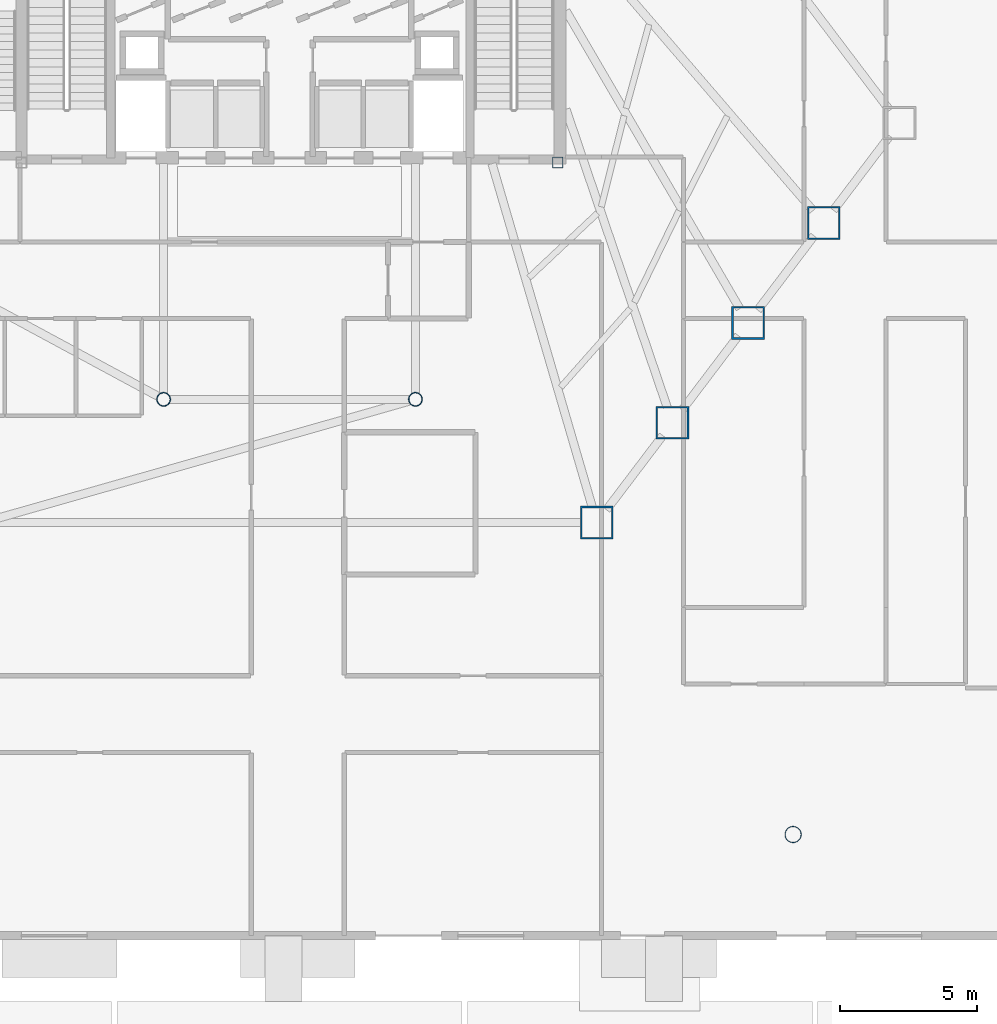
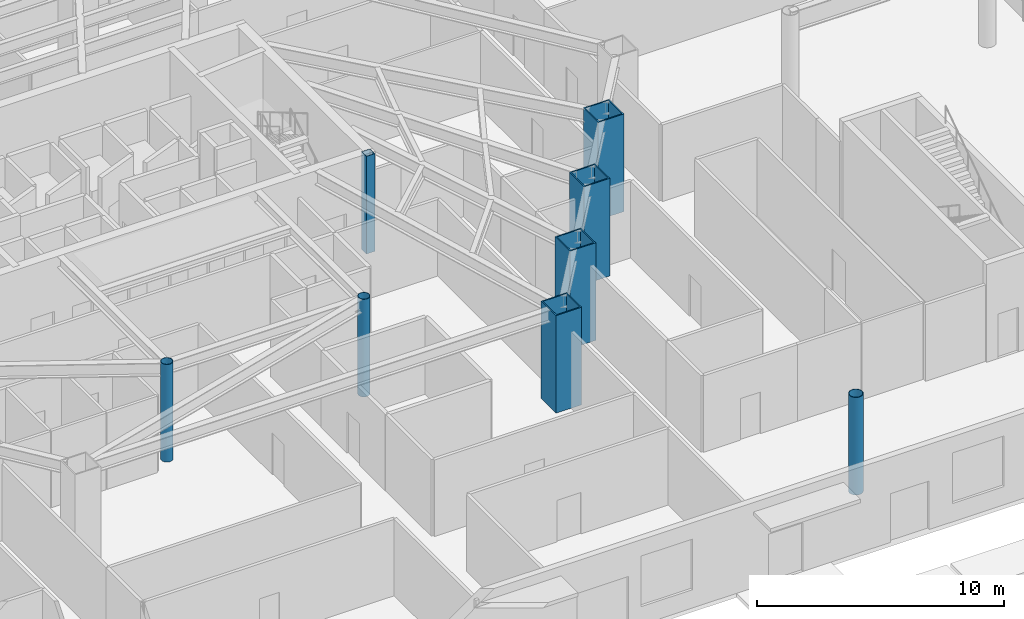
# One storey, part 2 of 31: 8 columns.
"""IFC4 building model written with IfcOpenShell, lengths in metres."""

from ifc_helpers import new_model, si_unit, direction, frame, origin, origin_2d, place, context, subcontext, project, spatial, hollow_rectangle, hollow_circle, extrude, material, material_profile, profile_set, type_object, element, save


model = new_model("IFC4")

# Units and contexts
model_context = context("Model", 3, precision=1e-05, world=origin(), true_north=direction((0.0, 1.0)))
body_context = subcontext(model_context, "Body", "Model", "MODEL_VIEW")
ifc_project = project(units=[si_unit("LENGTHUNIT", "METRE"), si_unit("AREAUNIT", "SQUARE_METRE"), si_unit("VOLUMEUNIT", "CUBIC_METRE"), si_unit("PLANEANGLEUNIT", "RADIAN"), si_unit("MASSUNIT", "GRAM", prefix="KILO")], contexts=[model_context])

# Site, building, storey
site_placement = place(None, origin())
site = spatial("IfcSite", under=ifc_project, at=site_placement, CompositionType="ELEMENT")
building_placement = place(site_placement, origin())
building = spatial("IfcBuilding", under=site, at=building_placement, Name="Zarrinselat Tower", CompositionType="ELEMENT")
storey_placement = place(building_placement, origin())
storey = spatial("IfcBuildingStorey", under=building, at=storey_placement, Name="L00", CompositionType="ELEMENT", Elevation=0.0)

# Columns
ifc_material_1 = material(Name="Steel S355J2", Category="steel")
ifc_material_profile_1 = material_profile(ifc_material_1, hollow_circle(Radius=0.25390625, WallThickness=0.02001953125, at=origin_2d()), Name="CHS 508x20")
ifc_profile_set_1 = profile_set([ifc_material_profile_1], Name="Steel S355J2")
column_type_1 = type_object("IfcColumnType", Name="COL-CHS508", PredefinedType="COLUMN", material=ifc_profile_set_1)
for number, where, z_axis, x_axis, name in (
    (1, (33.800048828125, 24.39990234375, 0.0), (0.0, 0.0, 1.0), (1.0, 0.0, 0.0), "L00 Atrium Corner Column 1"),
    (2, (43.0, 24.39990234375, 0.0), (0.0, 0.0, 1.0), (1.0, 0.0, 0.0), "L00 Atrium Corner Column 2"),
):
    element("IfcColumn", number, at=place(storey_placement, frame(where, z_axis=z_axis, x_axis=x_axis)), inside=storey, type_object=column_type_1, Name=name, PredefinedType="COLUMN", context=body_context, shape_type="SweptSolid", body=[
        extrude(hollow_circle(Radius=0.25390625, WallThickness=0.02001953125, at=origin_2d()), origin(), (0.0, 0.0, 1.0), 4.820068359375),
    ])
ifc_material_2 = material(Name="Steel S355J2", Category="steel")
ifc_material_profile_2 = material_profile(ifc_material_2, hollow_circle(Radius=0.304931640625, WallThickness=0.02490234375, at=origin_2d()), Name="CHS 610x25")
ifc_profile_set_2 = profile_set([ifc_material_profile_2], Name="Steel S355J2")
column_type_2 = type_object("IfcColumnType", Name="COL-CHS610", PredefinedType="COLUMN", material=ifc_profile_set_2)
column_1_placement = place(storey_placement, frame((56.800048828125, 8.5, 0.0), z_axis=(0.0, 0.0, 1.0), x_axis=(1.0, 0.0, 0.0)))
element("IfcColumn", 3, at=column_1_placement, inside=storey, type_object=column_type_2, Name="L00 Garden Deck Support Column 2", PredefinedType="COLUMN", context=body_context, shape_type="SweptSolid", body=[
    extrude(hollow_circle(Radius=0.304931640625, WallThickness=0.02490234375, at=origin_2d()), origin(), (0.0, 0.0, 1.0), 4.820068359375),
])
ifc_material_3 = material(Name="Steel S460M", Category="steel")
ifc_material_profile_3 = material_profile(ifc_material_3, hollow_rectangle(XDim=1.199951171875, YDim=1.199951171875, WallThickness=0.06005859375, at=origin_2d()), Name="SHS 1200x1200x60")
ifc_profile_set_3 = profile_set([ifc_material_profile_3], Name="Steel S460M")
column_type_3 = type_object("IfcColumnType", Name="COL-SHS1200", PredefinedType="COLUMN", material=ifc_profile_set_3)
for number, where, z_axis, x_axis, name in (
    (4, (49.626953125, 19.89599609375, 0.0), (0.0, 0.0, 1.0), (1.0, 0.0, 0.0), "L00 Framed-Tube Column T11"),
    (5, (52.391357421875, 23.544921875, 0.0), (0.0, 0.0, 1.0), (1.0, 0.0, 0.0), "L00 Framed-Tube Column T12"),
    (6, (55.15576171875, 27.194091796875, 0.0), (0.0, 0.0, 1.0), (1.0, 0.0, 0.0), "L00 Framed-Tube Column T13"),
    (7, (57.920166015625, 30.843017578125, 0.0), (0.0, 0.0, 1.0), (1.0, 0.0, 0.0), "L00 Framed-Tube Column T14"),
):
    element("IfcColumn", number, at=place(storey_placement, frame(where, z_axis=z_axis, x_axis=x_axis)), inside=storey, type_object=column_type_3, Name=name, PredefinedType="COLUMN", context=body_context, shape_type="SweptSolid", body=[
        extrude(hollow_rectangle(XDim=1.199951171875, YDim=1.199951171875, WallThickness=0.06005859375, at=origin_2d()), origin(), (0.0, 0.0, 1.0), 4.820068359375),
    ])
ifc_material_4 = material(Name="Steel S355J2", Category="steel")
ifc_material_profile_4 = material_profile(ifc_material_4, hollow_rectangle(XDim=0.39990234375, YDim=0.39990234375, WallThickness=0.02001953125, at=origin_2d()), Name="SHS 400x400x20")
ifc_profile_set_4 = profile_set([ifc_material_profile_4], Name="Steel S355J2")
column_type_4 = type_object("IfcColumnType", Name="COL-SHS400", PredefinedType="PILASTER", material=ifc_profile_set_4)
column_2_placement = place(storey_placement, frame((48.199951171875, 33.050048828125, 0.0), z_axis=(0.0, 0.0, 1.0), x_axis=(1.0, 0.0, 0.0)))
element("IfcColumn", 8, at=column_2_placement, inside=storey, type_object=column_type_4, Name="L00 Gallery Structural Pilaster 2", PredefinedType="PILASTER", context=body_context, shape_type="SweptSolid", body=[
    extrude(hollow_rectangle(XDim=0.39990234375, YDim=0.39990234375, WallThickness=0.02001953125, at=origin_2d()), origin(), (0.0, 0.0, 1.0), 4.820068359375),
])

save(model, "model.ifc")
